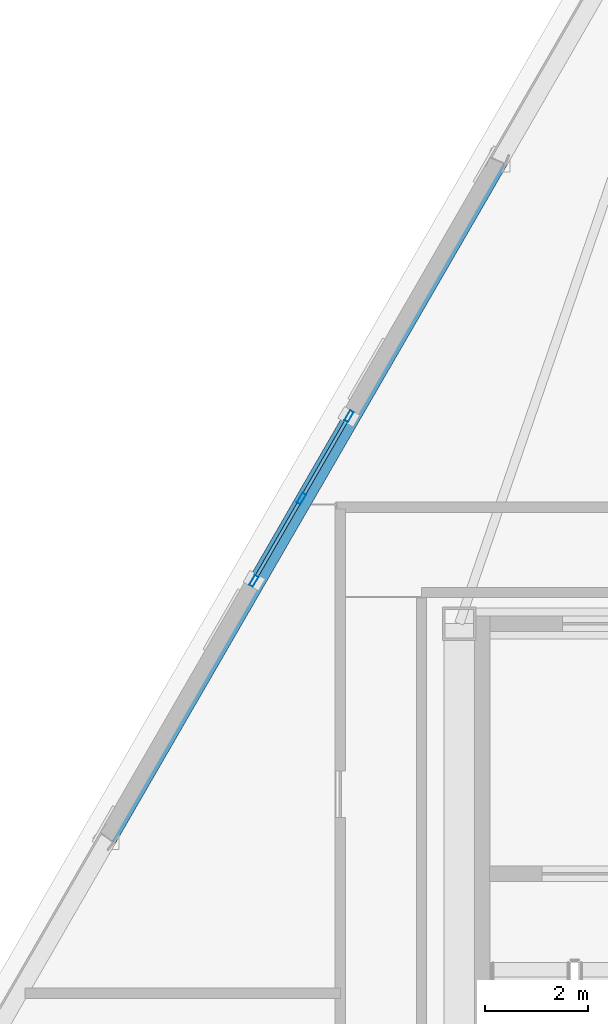
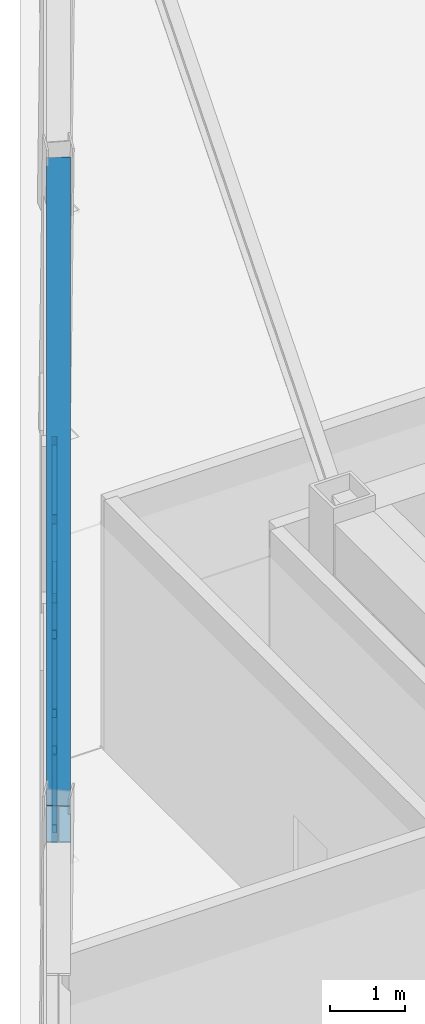
# One storey, part 4 of 12: 9 members, 1 beam, 1 element without a shape of its own.
"""IFC4 building model written with IfcOpenShell, lengths in metres."""

from ifc_helpers import new_model, si_unit, direction, frame, origin, origin_2d, place, context, subcontext, project, spatial, hollow_rectangle, i_section, extrude, material, layer, layer_set, material_profile, profile_set, type_object, element, aggregate, save


model = new_model("IFC4")

# Units and contexts
model_context = context("Model", 3, precision=1e-05, world=origin(), true_north=direction((0.0, 1.0)))
body_context = subcontext(model_context, "Body", "Model", "MODEL_VIEW")
ifc_project = project(units=[si_unit("LENGTHUNIT", "METRE"), si_unit("AREAUNIT", "SQUARE_METRE"), si_unit("VOLUMEUNIT", "CUBIC_METRE"), si_unit("PLANEANGLEUNIT", "RADIAN"), si_unit("MASSUNIT", "GRAM", prefix="KILO")], contexts=[model_context])

# Site, building, storey
site_placement = place(None, origin())
site = spatial("IfcSite", under=ifc_project, at=site_placement, CompositionType="ELEMENT")
building_placement = place(site_placement, origin())
building = spatial("IfcBuilding", under=site, at=building_placement, Name="Oramaril Tower", CompositionType="ELEMENT")
storey_placement = place(building_placement, frame((0.0, 0.0, 314.10009765625)))
storey = spatial("IfcBuildingStorey", under=building, at=storey_placement, Name="L82", CompositionType="ELEMENT", Elevation=314.10009765625)

# Beam
ifc_material_1 = material(Name="Steel ASTM A572 Gr 50", Category="steel")
ifc_material_profile_1 = material_profile(ifc_material_1, i_section(OverallWidth=0.324951171875, OverallDepth=0.612060546875, WebThickness=0.0126953125, FlangeThickness=0.01904296875, at=origin_2d()), Name="W24X104")
ifc_profile_set_1 = profile_set([ifc_material_profile_1], Name="Steel ASTM A572 Gr 50")
beam_type = type_object("IfcBeamType", Name="BT-SP5", PredefinedType="SPANDREL", material=ifc_profile_set_1)
beam_placement = place(storey_placement, frame((30.12744140625, 33.09228515625, 4.23388671875), z_axis=(-0.500005522576, -0.8660222153, 0.0), x_axis=(0.8660222153, -0.500005522576, 0.0)))
element("IfcBeam", 1, at=beam_placement, inside=storey, type_object=beam_type, Name="L82 Perimeter Spandrel 16", PredefinedType="SPANDREL", context=body_context, shape_type="SweptSolid", body=[
    extrude(i_section(OverallWidth=0.324951171875, OverallDepth=0.612060546875, WebThickness=0.0126953125, FlangeThickness=0.01904296875, at=origin_2d()), origin(), (0.0, 0.0, 1.0), 15.130615234375),
])

# Curtain wall, members
ifc_material_2 = material(Name="Anodised Aluminium 6063-T6", Category="aluminium")
ifc_layer = layer(ifc_material_2, 0.219970703125)
ifc_layer_set = layer_set([ifc_layer], Name="CWT-SYS6")
curtain_wall_type = type_object("IfcCurtainWallType", Name="CWT-SYS6", PredefinedType="NOTDEFINED", material=ifc_layer_set)
curtain_wall_placement = place(storey_placement, origin())
curtain_wall = element("IfcCurtainWall", 2, at=curtain_wall_placement, inside=storey, type_object=curtain_wall_type, Name="L82 Unitised Curtain Wall CW-6", PredefinedType="NOTDEFINED")
ifc_material_3 = material(Name="Anodised Aluminium 6063-T6", Category="aluminium")
ifc_material_profile_2 = material_profile(ifc_material_3, hollow_rectangle(XDim=0.080078125, YDim=0.219970703125, WallThickness=0.00390625, at=origin_2d()), Name="CWM220X80")
ifc_profile_set_2 = profile_set([ifc_material_profile_2], Name="Anodised Aluminium 6063-T6")
member_type_1 = type_object("IfcMemberType", Name="MT-CWM1", PredefinedType="MULLION", material=ifc_profile_set_2)
member_1_placement = place(storey_placement, frame((27.21728515625, 28.161376953125, 0.0), z_axis=(0.0, 0.0, 1.0), x_axis=(0.866025463091, -0.499999897278, 0.0)))
member_1 = element("IfcMember", 3, at=member_1_placement, type_object=member_type_1, Name="CW-6 mullion 1", PredefinedType="MULLION", context=body_context, shape_type="SweptSolid", body=[
    extrude(hollow_rectangle(XDim=0.080078125, YDim=0.219970703125, WallThickness=0.00390625, at=origin_2d()), origin(), (0.0, 0.0, 1.0), 3.91796875),
])
member_2_placement = place(storey_placement, frame((26.29736328125, 26.56787109375, 0.0), z_axis=(0.0, 0.0, 1.0), x_axis=(0.866025463091, -0.499999897278, 0.0)))
member_2 = element("IfcMember", 4, at=member_2_placement, type_object=member_type_1, Name="CW-6 mullion 2", PredefinedType="MULLION", context=body_context, shape_type="SweptSolid", body=[
    extrude(hollow_rectangle(XDim=0.080078125, YDim=0.219970703125, WallThickness=0.00390625, at=origin_2d()), origin(), (0.0, 0.0, 1.0), 3.91796875),
])
member_3_placement = place(storey_placement, frame((25.37744140625, 24.974365234375, 0.0), z_axis=(0.0, 0.0, 1.0), x_axis=(0.866025463091, -0.499999897278, 0.0)))
member_3 = element("IfcMember", 5, at=member_3_placement, type_object=member_type_1, Name="CW-6 mullion 3", PredefinedType="MULLION", context=body_context, shape_type="SweptSolid", body=[
    extrude(hollow_rectangle(XDim=0.080078125, YDim=0.219970703125, WallThickness=0.00390625, at=origin_2d()), origin(), (0.0, 0.0, 1.0), 3.91796875),
])
ifc_material_4 = material(Name="Anodised Aluminium 6063-T6", Category="aluminium")
ifc_material_profile_3 = material_profile(ifc_material_4, hollow_rectangle(XDim=0.06494140625, YDim=0.139892578125, WallThickness=0.00390625, at=origin_2d()), Name="CWT140X65")
ifc_profile_set_3 = profile_set([ifc_material_profile_3], Name="Anodised Aluminium 6063-T6")
member_type_2 = type_object("IfcMemberType", Name="MT-CWT2", PredefinedType="USERDEFINED", material=ifc_profile_set_3)
member_4_placement = place(storey_placement, frame((27.162353515625, 28.066162109375, 0.06982421875), z_axis=(-0.499996383721, -0.866027491634, 0.0), x_axis=(0.866027491634, -0.499996383721, 0.0)))
member_4 = element("IfcMember", 6, at=member_4_placement, type_object=member_type_2, Name="CW-6 transom 1.1", ObjectType="TRANSOM", PredefinedType="USERDEFINED", context=body_context, shape_type="SweptSolid", body=[
    extrude(hollow_rectangle(XDim=0.06494140625, YDim=0.139892578125, WallThickness=0.00390625, at=origin_2d()), origin(), (0.0, 0.0, 1.0), 1.6201171875),
])
member_5_placement = place(storey_placement, frame((27.162353515625, 28.066162109375, 1.958984375), z_axis=(-0.499996383721, -0.866027491634, 0.0), x_axis=(0.866027491634, -0.499996383721, 0.0)))
member_5 = element("IfcMember", 7, at=member_5_placement, type_object=member_type_2, Name="CW-6 transom 1.2", ObjectType="TRANSOM", PredefinedType="USERDEFINED", context=body_context, shape_type="SweptSolid", body=[
    extrude(hollow_rectangle(XDim=0.06494140625, YDim=0.139892578125, WallThickness=0.00390625, at=origin_2d()), origin(), (0.0, 0.0, 1.0), 1.6201171875),
])
member_6_placement = place(storey_placement, frame((27.162353515625, 28.066162109375, 3.847900390625), z_axis=(-0.499996383721, -0.866027491634, 0.0), x_axis=(0.866027491634, -0.499996383721, 0.0)))
member_6 = element("IfcMember", 8, at=member_6_placement, type_object=member_type_2, Name="CW-6 transom 1.3", ObjectType="TRANSOM", PredefinedType="USERDEFINED", context=body_context, shape_type="SweptSolid", body=[
    extrude(hollow_rectangle(XDim=0.06494140625, YDim=0.139892578125, WallThickness=0.00390625, at=origin_2d()), origin(), (0.0, 0.0, 1.0), 1.6201171875),
])
member_7_placement = place(storey_placement, frame((26.242431640625, 26.47265625, 0.06982421875), z_axis=(-0.499996383721, -0.866027491634, 0.0), x_axis=(0.866027491634, -0.499996383721, 0.0)))
member_7 = element("IfcMember", 9, at=member_7_placement, type_object=member_type_2, Name="CW-6 transom 2.1", ObjectType="TRANSOM", PredefinedType="USERDEFINED", context=body_context, shape_type="SweptSolid", body=[
    extrude(hollow_rectangle(XDim=0.06494140625, YDim=0.139892578125, WallThickness=0.00390625, at=origin_2d()), origin(), (0.0, 0.0, 1.0), 1.6201171875),
])
member_8_placement = place(storey_placement, frame((26.242431640625, 26.47265625, 1.958984375), z_axis=(-0.499996383721, -0.866027491634, 0.0), x_axis=(0.866027491634, -0.499996383721, 0.0)))
member_8 = element("IfcMember", 10, at=member_8_placement, type_object=member_type_2, Name="CW-6 transom 2.2", ObjectType="TRANSOM", PredefinedType="USERDEFINED", context=body_context, shape_type="SweptSolid", body=[
    extrude(hollow_rectangle(XDim=0.06494140625, YDim=0.139892578125, WallThickness=0.00390625, at=origin_2d()), origin(), (0.0, 0.0, 1.0), 1.6201171875),
])
member_9_placement = place(storey_placement, frame((26.242431640625, 26.47265625, 3.847900390625), z_axis=(-0.499996383721, -0.866027491634, 0.0), x_axis=(0.866027491634, -0.499996383721, 0.0)))
member_9 = element("IfcMember", 11, at=member_9_placement, type_object=member_type_2, Name="CW-6 transom 2.3", ObjectType="TRANSOM", PredefinedType="USERDEFINED", context=body_context, shape_type="SweptSolid", body=[
    extrude(hollow_rectangle(XDim=0.06494140625, YDim=0.139892578125, WallThickness=0.00390625, at=origin_2d()), origin(), (0.0, 0.0, 1.0), 1.6201171875),
])
aggregate(curtain_wall, [member_1, member_2, member_3, member_4, member_5, member_6, member_7, member_8, member_9])

save(model, "model.ifc")
